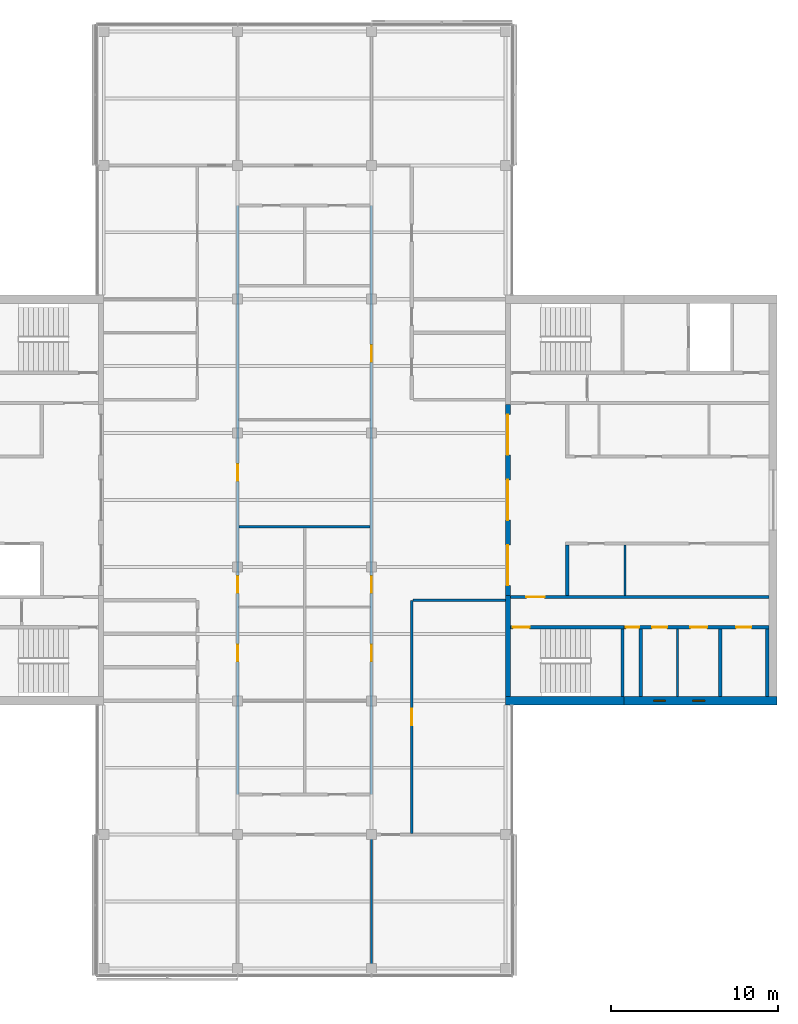
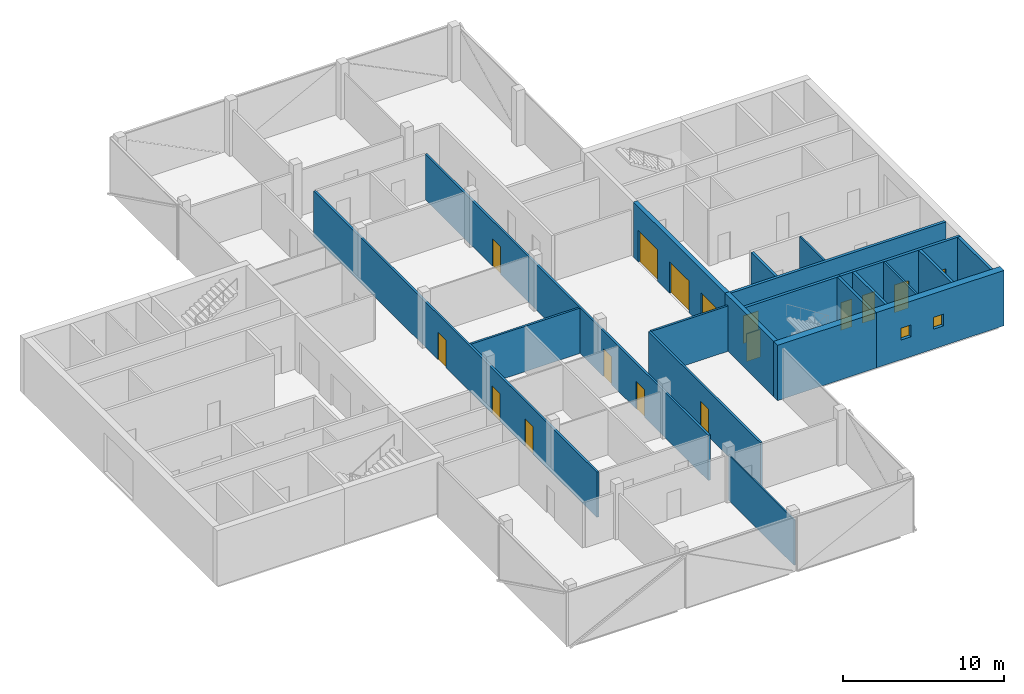
# One storey, part 10 of 16: 20 walls, 16 doors, 2 windows, 18 openings.
"""IFC4 building model written with IfcOpenShell, lengths in metres."""

from ifc_helpers import new_model, si_unit, direction, frame, frame_2d, origin, place, context, subcontext, project, spatial, rectangle, extrude, material, layer, layer_set, constituent, constituent_set, type_object, element, fill, save


model = new_model("IFC4")

# Units and contexts
model_context = context("Model", 3, precision=1e-05, world=origin(), true_north=direction((0.0, 1.0)))
body_context = subcontext(model_context, "Body", "Model", "MODEL_VIEW")
ifc_project = project(units=[si_unit("LENGTHUNIT", "METRE"), si_unit("AREAUNIT", "SQUARE_METRE"), si_unit("VOLUMEUNIT", "CUBIC_METRE"), si_unit("PLANEANGLEUNIT", "RADIAN"), si_unit("MASSUNIT", "GRAM", prefix="KILO")], contexts=[model_context])

# Site, building, storey
site_placement = place(None, origin())
site = spatial("IfcSite", under=ifc_project, at=site_placement, CompositionType="ELEMENT")
building_placement = place(site_placement, origin())
building = spatial("IfcBuilding", under=site, at=building_placement, Name="Crosswind Convention Tower", CompositionType="ELEMENT")
storey_placement = place(building_placement, frame((0.0, 0.0, 336.5)))
storey = spatial("IfcBuildingStorey", under=building, at=storey_placement, Name="L73", CompositionType="ELEMENT", Elevation=336.5)

# Wall
ifc_material_1 = material(Name="Concrete blockwork", Category="masonry")
ifc_layer_1 = layer(ifc_material_1, 0.199951171875)
ifc_layer_set_1 = layer_set([ifc_layer_1], Name="Blockwork partition wall 200")
wall_type_1 = type_object("IfcWallType", Name="Blockwork partition wall 200", PredefinedType="PARTITIONING", material=ifc_layer_set_1)
wall_1_placement = place(storey_placement, frame((145.10009765625, 88.25, 0.0), z_axis=(0.0, 0.0, 1.0), x_axis=(0.0, 1.0, 0.0)))
element("IfcWall", 1, at=wall_1_placement, inside=storey, type_object=wall_type_1, Name="Wall MRSE E L73", PredefinedType="PARTITIONING", context=body_context, shape_type="SweptSolid", body=[
    extrude(rectangle(XDim=4.050048828125, YDim=0.199951171875, at=frame_2d((2.02490234375, 0.0))), origin(), (0.0, 0.0, 1.0), 4.199951171875),
])

# Wall, openings, doors
ifc_material_2 = material(Name="Concrete C50/60", Category="concrete")
ifc_layer_2 = layer(ifc_material_2, 0.300048828125)
ifc_layer_set_2 = layer_set([ifc_layer_2], Name="Concrete C50/60")
wall_type_2 = type_object("IfcWallType", Name="Concrete inner core wall 300", PredefinedType="SHEAR", material=ifc_layer_set_2)
wall_2_placement = place(storey_placement, frame((137.14990234375, 94.300048828125, 0.0), z_axis=(0.0, 0.0, 1.0), x_axis=(0.0, 1.0, 0.0)))
wall_2 = element("IfcWall", 2, at=wall_2_placement, inside=storey, type_object=wall_type_2, Name="Wall SCR E L73", PredefinedType="SHEAR", context=body_context, shape_type="SweptSolid", body=[
    extrude(rectangle(XDim=11.39990234375, YDim=0.300048828125, at=frame_2d((5.699951171875, 0.0))), origin(), (0.0, 0.0, 1.0), 4.199951171875),
])
opening_1_placement = place(wall_2_placement, frame((0.60009765625, 0.0, 0.0)))
opening_1 = element("IfcOpeningElement", 3, at=opening_1_placement, cuts=wall_2, Name="Opening D100", PredefinedType="OPENING", context=body_context, shape_type="SweptSolid", body=[
    extrude(rectangle(XDim=2.39990234375, YDim=2.39990234375, at=frame_2d((1.199951171875, 1.199951171875))), frame((0.0, 0.159912109375, 0.0), z_axis=(0.0, -1.0, 0.0), x_axis=(1.0, 0.0, 0.0)), (0.0, 0.0, 1.0), 0.320068359375),
])
opening_2_placement = place(wall_2_placement, frame((4.5, 0.0, 0.0)))
opening_2 = element("IfcOpeningElement", 4, at=opening_2_placement, cuts=wall_2, Name="Opening D100", PredefinedType="OPENING", context=body_context, shape_type="SweptSolid", body=[
    extrude(rectangle(XDim=2.39990234375, YDim=2.39990234375, at=frame_2d((1.199951171875, 1.199951171875))), frame((0.0, 0.159912109375, 0.0), z_axis=(0.0, -1.0, 0.0), x_axis=(1.0, 0.0, 0.0)), (0.0, 0.0, 1.0), 0.320068359375),
])
opening_3_placement = place(wall_2_placement, frame((8.39990234375, 0.0, 0.0)))
opening_3 = element("IfcOpeningElement", 5, at=opening_3_placement, cuts=wall_2, Name="Opening D100", PredefinedType="OPENING", context=body_context, shape_type="SweptSolid", body=[
    extrude(rectangle(XDim=2.39990234375, YDim=2.39990234375, at=frame_2d((1.199951171875, 1.199951171875))), frame((0.0, 0.159912109375, 0.0), z_axis=(0.0, -1.0, 0.0), x_axis=(1.0, 0.0, 0.0)), (0.0, 0.0, 1.0), 0.320068359375),
])
ifc_material_3 = material(Name="Steel fire door with glazed vision panels", Category="steel")
door_type_1 = type_object("IfcDoorType", Name="Fire-rated double door 2400x2400", OperationType="DOUBLE_DOOR_SINGLE_SWING", PredefinedType="DOOR", material=ifc_material_3)
door_1_placement = place(opening_1_placement, origin())
door_1 = element("IfcDoor", 6, at=door_1_placement, inside=storey, type_object=door_type_1, Name="Lobby door 1 L73", ObjectType="D100", OperationType="DOUBLE_DOOR_SINGLE_SWING", OverallHeight=2.39990234375, OverallWidth=2.39990234375, PredefinedType="DOOR", context=body_context, shape_type="SweptSolid", body=[
    extrude(rectangle(XDim=2.39990234375, YDim=2.39990234375, at=frame_2d((1.199951171875, 1.199951171875))), frame((0.0, 0.02490234375, 0.0), z_axis=(0.0, -1.0, 0.0), x_axis=(1.0, 0.0, 0.0)), (0.0, 0.0, 1.0), 0.050048828125),
])
fill(opening_1, door_1)
door_2_placement = place(opening_2_placement, origin())
door_2 = element("IfcDoor", 7, at=door_2_placement, inside=storey, type_object=door_type_1, Name="Lobby door 2 L73", ObjectType="D100", OperationType="DOUBLE_DOOR_SINGLE_SWING", OverallHeight=2.39990234375, OverallWidth=2.39990234375, PredefinedType="DOOR", context=body_context, shape_type="SweptSolid", body=[
    extrude(rectangle(XDim=2.39990234375, YDim=2.39990234375, at=frame_2d((1.199951171875, 1.199951171875))), frame((0.0, 0.02490234375, 0.0), z_axis=(0.0, -1.0, 0.0), x_axis=(1.0, 0.0, 0.0)), (0.0, 0.0, 1.0), 0.050048828125),
])
fill(opening_2, door_2)
door_3_placement = place(opening_3_placement, origin())
door_3 = element("IfcDoor", 8, at=door_3_placement, inside=storey, type_object=door_type_1, Name="Lobby door 3 L73", ObjectType="D100", OperationType="DOUBLE_DOOR_SINGLE_SWING", OverallHeight=2.39990234375, OverallWidth=2.39990234375, PredefinedType="DOOR", context=body_context, shape_type="SweptSolid", body=[
    extrude(rectangle(XDim=2.39990234375, YDim=2.39990234375, at=frame_2d((1.199951171875, 1.199951171875))), frame((0.0, 0.02490234375, 0.0), z_axis=(0.0, -1.0, 0.0), x_axis=(1.0, 0.0, 0.0)), (0.0, 0.0, 1.0), 0.050048828125),
])
fill(opening_3, door_3)

# Walls
wall_3_placement = place(storey_placement, frame((137.14990234375, 88.25, 0.0), z_axis=(0.0, 0.0, 1.0), x_axis=(0.0, 1.0, 0.0)))
element("IfcWall", 9, at=wall_3_placement, inside=storey, type_object=wall_type_2, Name="Wall EM E L73", PredefinedType="SHEAR", context=body_context, shape_type="SweptSolid", body=[
    extrude(rectangle(XDim=6.050048828125, YDim=0.300048828125, at=frame_2d((3.02490234375, 0.0))), origin(), (0.0, 0.0, 1.0), 4.199951171875),
])
ifc_layer_3 = layer(ifc_material_2, 0.199951171875)
ifc_layer_set_3 = layer_set([ifc_layer_3], Name="Concrete C50/60")
wall_type_3 = type_object("IfcWallType", Name="Concrete shaft and stair wall 200", PredefinedType="SHEAR", material=ifc_layer_set_3)
wall_4_placement = place(storey_placement, frame((140.699951171875, 94.300048828125, 0.0), z_axis=(0.0, 0.0, 1.0), x_axis=(0.0, 1.0, 0.0)))
element("IfcWall", 10, at=wall_4_placement, inside=storey, type_object=wall_type_3, Name="Wall RMEND E L73", PredefinedType="SHEAR", context=body_context, shape_type="SweptSolid", body=[
    extrude(rectangle(XDim=3.0, YDim=0.199951171875, at=frame_2d((1.5, 0.0))), origin(), (0.0, 0.0, 1.0), 4.199951171875),
])

# Wall, opening, door
wall_5_placement = place(storey_placement, frame((137.300048828125, 94.199951171875, 0.0), z_axis=(0.0, 0.0, 1.0), x_axis=(1.0, 0.0, 0.0)))
wall_5 = element("IfcWall", 11, at=wall_5_placement, inside=storey, type_object=wall_type_3, Name="Wall HM E L73", PredefinedType="SHEAR", context=body_context, shape_type="SweptSolid", body=[
    extrude(rectangle(XDim=15.449951171875, YDim=0.199951171875, at=frame_2d((7.72509765625, 0.0))), origin(), (0.0, 0.0, 1.0), 4.199951171875),
])
opening_4_placement = place(wall_5_placement, frame((0.949951171875, 0.0, 0.0)))
opening_4 = element("IfcOpeningElement", 12, at=opening_4_placement, cuts=wall_5, Name="Opening D104", PredefinedType="OPENING", context=body_context, shape_type="SweptSolid", body=[
    extrude(rectangle(XDim=1.10009765625, YDim=2.10009765625, at=frame_2d((0.550048828125, 1.050048828125))), frame((0.0, 0.10986328125, 0.0), z_axis=(0.0, -1.0, 0.0), x_axis=(1.0, 0.0, 0.0)), (0.0, 0.0, 1.0), 0.219970703125),
])
ifc_material_4 = material(Name="Steel fire door", Category="steel")
door_type_2 = type_object("IfcDoorType", Name="Fire-rated single door 1100x2100", OperationType="NOTDEFINED", PredefinedType="DOOR", material=ifc_material_4)
door_4_placement = place(opening_4_placement, origin())
door_4 = element("IfcDoor", 13, at=door_4_placement, inside=storey, type_object=door_type_2, Name="Corridor door L73", ObjectType="D104", OperationType="SINGLE_SWING_LEFT", OverallHeight=2.10009765625, OverallWidth=1.10009765625, PredefinedType="DOOR", context=body_context, shape_type="SweptSolid", body=[
    extrude(rectangle(XDim=1.10009765625, YDim=2.10009765625, at=frame_2d((0.550048828125, 1.050048828125))), frame((0.0, 0.02490234375, 0.0), z_axis=(0.0, -1.0, 0.0), x_axis=(1.0, 0.0, 0.0)), (0.0, 0.0, 1.0), 0.050048828125),
])
fill(opening_4, door_4)

# Walls
for number, where, z_axis, x_axis, name in (
    (14, (144.0, 88.25, 0.0), (0.0, 0.0, 1.0), (0.0, 1.0, 0.0), "Wall MSE E L73"),
    (15, (149.85009765625, 88.25, 0.0), (0.0, 0.0, 1.0), (0.0, 1.0, 0.0), "Wall MFSW E L73"),
    (16, (152.64990234375, 88.25, 0.0), (0.0, 0.0, 1.0), (0.0, 1.0, 0.0), "Wall MFSE E L73"),
):
    element("IfcWall", number, at=place(storey_placement, frame(where, z_axis=z_axis, x_axis=x_axis)), inside=storey, type_object=wall_type_3, Name=name, PredefinedType="SHEAR", context=body_context, shape_type="SweptSolid", body=[
        extrude(rectangle(XDim=4.050048828125, YDim=0.199951171875, at=frame_2d((2.02490234375, 0.0))), origin(), (0.0, 0.0, 1.0), 4.199951171875),
    ])

# Wall, opening, door
wall_6_placement = place(storey_placement, frame((137.300048828125, 92.39990234375, 0.0), z_axis=(0.0, 0.0, 1.0), x_axis=(1.0, 0.0, 0.0)))
wall_6 = element("IfcWall", 17, at=wall_6_placement, inside=storey, type_object=wall_type_3, Name="Wall MCW E L73", PredefinedType="SHEAR", context=body_context, shape_type="SweptSolid", body=[
    extrude(rectangle(XDim=6.800048828125, YDim=0.199951171875, at=frame_2d((3.39990234375, 0.0))), origin(), (0.0, 0.0, 1.0), 4.199951171875),
])
opening_5_placement = place(wall_6_placement, frame((0.14990234375, 0.0, 0.0)))
opening_5 = element("IfcOpeningElement", 18, at=opening_5_placement, cuts=wall_6, Name="Opening D103", PredefinedType="OPENING", context=body_context, shape_type="SweptSolid", body=[
    extrude(rectangle(XDim=1.0, YDim=2.10009765625, at=frame_2d((0.5, 1.050048828125))), frame((0.0, 0.10986328125, 0.0), z_axis=(0.0, -1.0, 0.0), x_axis=(1.0, 0.0, 0.0)), (0.0, 0.0, 1.0), 0.219970703125),
])
door_type_3 = type_object("IfcDoorType", Name="Fire-rated single door 1000x2100", OperationType="NOTDEFINED", PredefinedType="DOOR", material=ifc_material_4)
door_5_placement = place(opening_5_placement, frame((1.0, 0.0, 0.0), z_axis=(0.0, 0.0, 1.0), x_axis=(-1.0, 0.0, 0.0)))
door_5 = element("IfcDoor", 19, at=door_5_placement, inside=storey, type_object=door_type_3, Name="Stair ST2 door L73", ObjectType="D103", OperationType="SINGLE_SWING_RIGHT", OverallHeight=2.10009765625, OverallWidth=1.0, PredefinedType="DOOR", context=body_context, shape_type="SweptSolid", body=[
    extrude(rectangle(XDim=1.0, YDim=2.10009765625, at=frame_2d((0.5, 1.050048828125))), frame((0.0, 0.02490234375, 0.0), z_axis=(0.0, -1.0, 0.0), x_axis=(1.0, 0.0, 0.0)), (0.0, 0.0, 1.0), 0.050048828125),
])
fill(opening_5, door_5)

# Wall, openings, doors
wall_7_placement = place(storey_placement, frame((144.10009765625, 92.39990234375, 0.0), z_axis=(0.0, 0.0, 1.0), x_axis=(1.0, 0.0, 0.0)))
wall_7 = element("IfcWall", 20, at=wall_7_placement, inside=storey, type_object=wall_type_3, Name="Wall MCX E L73", PredefinedType="SHEAR", context=body_context, shape_type="SweptSolid", body=[
    extrude(rectangle(XDim=8.64990234375, YDim=0.199951171875, at=frame_2d((4.324951171875, 0.0))), origin(), (0.0, 0.0, 1.0), 4.199951171875),
])
opening_6_placement = place(wall_7_placement, frame((0.10009765625, 0.0, 0.0)))
opening_6 = element("IfcOpeningElement", 21, at=opening_6_placement, cuts=wall_7, Name="Opening D105", PredefinedType="OPENING", context=body_context, shape_type="SweptSolid", body=[
    extrude(rectangle(XDim=0.800048828125, YDim=2.10009765625, at=frame_2d((0.39990234375, 1.050048828125))), frame((0.0, 0.10986328125, 0.0), z_axis=(0.0, -1.0, 0.0), x_axis=(1.0, 0.0, 0.0)), (0.0, 0.0, 1.0), 0.219970703125),
])
opening_7_placement = place(wall_7_placement, frame((1.665283203125, 0.0, 0.0)))
opening_7 = element("IfcOpeningElement", 22, at=opening_7_placement, cuts=wall_7, Name="Opening D106", PredefinedType="OPENING", context=body_context, shape_type="SweptSolid", body=[
    extrude(rectangle(XDim=0.89990234375, YDim=2.10009765625, at=frame_2d((0.449951171875, 1.050048828125))), frame((0.0, 0.10986328125, 0.0), z_axis=(0.0, -1.0, 0.0), x_axis=(1.0, 0.0, 0.0)), (0.0, 0.0, 1.0), 0.219970703125),
])
opening_8_placement = place(wall_7_placement, frame((3.95263671875, 0.0, 0.0)))
opening_8 = element("IfcOpeningElement", 23, at=opening_8_placement, cuts=wall_7, Name="Opening D103", PredefinedType="OPENING", context=body_context, shape_type="SweptSolid", body=[
    extrude(rectangle(XDim=1.0, YDim=2.10009765625, at=frame_2d((0.5, 1.050048828125))), frame((0.0, 0.10986328125, 0.0), z_axis=(0.0, -1.0, 0.0), x_axis=(1.0, 0.0, 0.0)), (0.0, 0.0, 1.0), 0.219970703125),
])
opening_9_placement = place(wall_7_placement, frame((6.699951171875, 0.0, 0.0)))
opening_9 = element("IfcOpeningElement", 24, at=opening_9_placement, cuts=wall_7, Name="Opening D106", PredefinedType="OPENING", context=body_context, shape_type="SweptSolid", body=[
    extrude(rectangle(XDim=0.89990234375, YDim=2.10009765625, at=frame_2d((0.449951171875, 1.050048828125))), frame((0.0, 0.10986328125, 0.0), z_axis=(0.0, -1.0, 0.0), x_axis=(1.0, 0.0, 0.0)), (0.0, 0.0, 1.0), 0.219970703125),
])
door_6_placement = place(opening_8_placement, frame((1.0, 0.0, 0.0), z_axis=(0.0, 0.0, 1.0), x_axis=(-1.0, 0.0, 0.0)))
door_6 = element("IfcDoor", 25, at=door_6_placement, inside=storey, type_object=door_type_3, Name="Door to accessible wc L73", ObjectType="D103", OperationType="SINGLE_SWING_LEFT", OverallHeight=2.10009765625, OverallWidth=1.0, PredefinedType="DOOR", context=body_context, shape_type="SweptSolid", body=[
    extrude(rectangle(XDim=1.0, YDim=2.10009765625, at=frame_2d((0.5, 1.050048828125))), frame((0.0, 0.02490234375, 0.0), z_axis=(0.0, -1.0, 0.0), x_axis=(1.0, 0.0, 0.0)), (0.0, 0.0, 1.0), 0.050048828125),
])
fill(opening_8, door_6)
door_type_4 = type_object("IfcDoorType", Name="Riser access door 800x2100", OperationType="NOTDEFINED", PredefinedType="DOOR", material=ifc_material_4)
door_7_placement = place(opening_6_placement, frame((0.800048828125, 0.0, 0.0), z_axis=(0.0, 0.0, 1.0), x_axis=(-1.0, 0.0, 0.0)))
door_7 = element("IfcDoor", 26, at=door_7_placement, inside=storey, type_object=door_type_4, Name="Riser door L73", ObjectType="D105", OperationType="SINGLE_SWING_LEFT", OverallHeight=2.10009765625, OverallWidth=0.800048828125, PredefinedType="DOOR", context=body_context, shape_type="SweptSolid", body=[
    extrude(rectangle(XDim=0.800048828125, YDim=2.10009765625, at=frame_2d((0.39990234375, 1.050048828125))), frame((0.0, 0.02490234375, 0.0), z_axis=(0.0, -1.0, 0.0), x_axis=(1.0, 0.0, 0.0)), (0.0, 0.0, 1.0), 0.050048828125),
])
fill(opening_6, door_7)
ifc_material_5 = material(Name="Timber door", Category="wood")
door_type_5 = type_object("IfcDoorType", Name="Single leaf door 900x2100", OperationType="NOTDEFINED", PredefinedType="DOOR", material=ifc_material_5)
door_8_placement = place(opening_7_placement, frame((0.89990234375, 0.0, 0.0), z_axis=(0.0, 0.0, 1.0), x_axis=(-1.0, 0.0, 0.0)))
door_8 = element("IfcDoor", 27, at=door_8_placement, inside=storey, type_object=door_type_5, Name="Door to wc L73", ObjectType="D106", OperationType="SINGLE_SWING_LEFT", OverallHeight=2.10009765625, OverallWidth=0.89990234375, PredefinedType="DOOR", context=body_context, shape_type="SweptSolid", body=[
    extrude(rectangle(XDim=0.89990234375, YDim=2.10009765625, at=frame_2d((0.449951171875, 1.050048828125))), frame((0.0, 0.02490234375, 0.0), z_axis=(0.0, -1.0, 0.0), x_axis=(1.0, 0.0, 0.0)), (0.0, 0.0, 1.0), 0.050048828125),
])
fill(opening_7, door_8)
door_9_placement = place(opening_9_placement, frame((0.89990234375, 0.0, 0.0), z_axis=(0.0, 0.0, 1.0), x_axis=(-1.0, 0.0, 0.0)))
door_9 = element("IfcDoor", 28, at=door_9_placement, inside=storey, type_object=door_type_5, Name="Door to accessible wc L73", ObjectType="D106", OperationType="SINGLE_SWING_LEFT", OverallHeight=2.10009765625, OverallWidth=0.89990234375, PredefinedType="DOOR", context=body_context, shape_type="SweptSolid", body=[
    extrude(rectangle(XDim=0.89990234375, YDim=2.10009765625, at=frame_2d((0.449951171875, 1.050048828125))), frame((0.0, 0.02490234375, 0.0), z_axis=(0.0, -1.0, 0.0), x_axis=(1.0, 0.0, 0.0)), (0.0, 0.0, 1.0), 0.050048828125),
])
fill(opening_9, door_9)

# Walls
ifc_material_6 = material(Name="Gypsum plasterboard partition", Category="gypsum")
ifc_layer_4 = layer(ifc_material_6, 0.125)
ifc_layer_set_4 = layer_set([ifc_layer_4], Name="Drywall partition wall 125")
wall_type_4 = type_object("IfcWallType", Name="Drywall partition wall 125", PredefinedType="PARTITIONING", material=ifc_layer_set_4)
wall_8_placement = place(storey_placement, frame((144.14599609375, 94.300048828125, 0.0), z_axis=(0.0, 0.0, 1.0), x_axis=(0.0, 1.0, 0.0)))
element("IfcWall", 29, at=wall_8_placement, inside=storey, type_object=wall_type_4, Name="Wall RMP1 E L73", PredefinedType="PARTITIONING", context=body_context, shape_type="SweptSolid", body=[
    extrude(rectangle(XDim=3.0, YDim=0.125, at=frame_2d((1.5, 0.0))), origin(), (0.0, 0.0, 1.0), 4.199951171875),
])
wall_9_placement = place(storey_placement, frame((147.29296875, 88.25, 0.0), z_axis=(0.0, 0.0, 1.0), x_axis=(0.0, 1.0, 0.0)))
element("IfcWall", 30, at=wall_9_placement, inside=storey, type_object=wall_type_4, Name="Wall MWP1 E L73", PredefinedType="PARTITIONING", context=body_context, shape_type="SweptSolid", body=[
    extrude(rectangle(XDim=4.050048828125, YDim=0.125, at=frame_2d((2.02490234375, 0.0))), origin(), (0.0, 0.0, 1.0), 4.199951171875),
])
ifc_material_7 = material(Name="Plasterboard partition", Category="gypsum")
ifc_layer_5 = layer(ifc_material_7, 0.10009765625)
ifc_layer_set_5 = layer_set([ifc_layer_5], Name="PARTITION 100 METAL STUD")
wall_type_5 = type_object("IfcWallType", Name="PARTITION 100 METAL STUD", PredefinedType="PARTITIONING", material=ifc_layer_set_5)
wall_10_placement = place(storey_placement, frame((129.0, 71.780029296875, 0.0), z_axis=(0.0, 0.0, 1.0), x_axis=(0.0, 1.0, 0.0)))
element("IfcWall", 31, at=wall_10_placement, inside=storey, type_object=wall_type_5, Name="Partition wall WT40", PredefinedType="PARTITIONING", context=body_context, shape_type="SweptSolid", body=[
    extrude(rectangle(XDim=8.14501953125, YDim=0.10009765625, at=frame_2d((4.072509765625, 0.0))), origin(), (0.0, 0.0, 1.0), 3.44287109375),
])

# Wall, openings, doors
ifc_material_8 = material(Name="Fire-board partition with mineral wool", Category="gypsum")
ifc_layer_6 = layer(ifc_material_8, 0.14990234375)
ifc_layer_set_6 = layer_set([ifc_layer_6], Name="TENANCY WALL 150 TWO-HOUR BOARD")
wall_type_6 = type_object("IfcWallType", Name="TENANCY WALL 150 TWO-HOUR BOARD", PredefinedType="PARTITIONING", material=ifc_layer_set_6)
wall_11_placement = place(storey_placement, frame((121.0, 82.39990234375, 0.0), z_axis=(0.0, 0.0, 1.0), x_axis=(0.0, 1.0, 0.0)))
wall_11 = element("IfcWall", 32, at=wall_11_placement, inside=storey, type_object=wall_type_6, Name="Tenancy wall WT41", PredefinedType="PARTITIONING", context=body_context, shape_type="SweptSolid", body=[
    extrude(rectangle(XDim=35.2001953125, YDim=0.14990234375, at=frame_2d((17.60009765625, 0.0))), origin(), (0.0, 0.0, 1.0), 3.44287109375),
])
opening_10_placement = place(wall_11_placement, frame((7.949951171875, 0.0, 0.0)))
opening_10 = element("IfcOpeningElement", 33, at=opening_10_placement, cuts=wall_11, Name="Opening L73-67", PredefinedType="OPENING", context=body_context, shape_type="SweptSolid", body=[
    extrude(rectangle(XDim=1.0, YDim=2.10009765625, at=frame_2d((0.5, 1.050048828125))), frame((0.0, 0.0849609375, 0.0), z_axis=(0.0, -1.0, 0.0), x_axis=(1.0, 0.0, 0.0)), (0.0, 0.0, 1.0), 0.169921875),
])
opening_11_placement = place(wall_11_placement, frame((12.050048828125, 0.0, 0.0)))
opening_11 = element("IfcOpeningElement", 34, at=opening_11_placement, cuts=wall_11, Name="Opening L73-69", PredefinedType="OPENING", context=body_context, shape_type="SweptSolid", body=[
    extrude(rectangle(XDim=1.0, YDim=2.10009765625, at=frame_2d((0.5, 1.050048828125))), frame((0.0, 0.0849609375, 0.0), z_axis=(0.0, -1.0, 0.0), x_axis=(1.0, 0.0, 0.0)), (0.0, 0.0, 1.0), 0.169921875),
])
opening_12_placement = place(wall_11_placement, frame((18.75, 0.0, 0.0)))
opening_12 = element("IfcOpeningElement", 35, at=opening_12_placement, cuts=wall_11, Name="Opening L73-71", PredefinedType="OPENING", context=body_context, shape_type="SweptSolid", body=[
    extrude(rectangle(XDim=1.0, YDim=2.10009765625, at=frame_2d((0.5, 1.050048828125))), frame((0.0, 0.0849609375, 0.0), z_axis=(0.0, -1.0, 0.0), x_axis=(1.0, 0.0, 0.0)), (0.0, 0.0, 1.0), 0.169921875),
])
ifc_material_9 = material(Name="Timber fire door", Category="wood")
door_type_6 = type_object("IfcDoorType", Name="TENANCY ENTRANCE DOOR 1000X2100 FD30S", OperationType="NOTDEFINED", PredefinedType="DOOR", material=ifc_material_9)
door_10_placement = place(opening_10_placement, frame((1.0, 0.0, 0.0), z_axis=(0.0, 0.0, 1.0), x_axis=(-1.0, 0.0, 0.0)))
door_10 = element("IfcDoor", 36, at=door_10_placement, inside=storey, type_object=door_type_6, Name="Door L73-67", ObjectType="D41", OperationType="SINGLE_SWING_RIGHT", OverallHeight=2.10009765625, OverallWidth=1.0, PredefinedType="DOOR", context=body_context, shape_type="SweptSolid", body=[
    extrude(rectangle(XDim=1.0, YDim=2.10009765625, at=frame_2d((0.5, 1.050048828125))), frame((0.0, 0.02490234375, 0.0), z_axis=(0.0, -1.0, 0.0), x_axis=(1.0, 0.0, 0.0)), (0.0, 0.0, 1.0), 0.050048828125),
])
fill(opening_10, door_10)
door_11_placement = place(opening_11_placement, frame((1.0, 0.0, 0.0), z_axis=(0.0, 0.0, 1.0), x_axis=(-1.0, 0.0, 0.0)))
door_11 = element("IfcDoor", 37, at=door_11_placement, inside=storey, type_object=door_type_6, Name="Door L73-69", ObjectType="D41", OperationType="SINGLE_SWING_LEFT", OverallHeight=2.10009765625, OverallWidth=1.0, PredefinedType="DOOR", context=body_context, shape_type="SweptSolid", body=[
    extrude(rectangle(XDim=1.0, YDim=2.10009765625, at=frame_2d((0.5, 1.050048828125))), frame((0.0, 0.02490234375, 0.0), z_axis=(0.0, -1.0, 0.0), x_axis=(1.0, 0.0, 0.0)), (0.0, 0.0, 1.0), 0.050048828125),
])
fill(opening_11, door_11)
door_12_placement = place(opening_12_placement, frame((1.0, 0.0, 0.0), z_axis=(0.0, 0.0, 1.0), x_axis=(-1.0, 0.0, 0.0)))
door_12 = element("IfcDoor", 38, at=door_12_placement, inside=storey, type_object=door_type_6, Name="Door L73-71", ObjectType="D41", OperationType="SINGLE_SWING_LEFT", OverallHeight=2.10009765625, OverallWidth=1.0, PredefinedType="DOOR", context=body_context, shape_type="SweptSolid", body=[
    extrude(rectangle(XDim=1.0, YDim=2.10009765625, at=frame_2d((0.5, 1.050048828125))), frame((0.0, 0.02490234375, 0.0), z_axis=(0.0, -1.0, 0.0), x_axis=(1.0, 0.0, 0.0)), (0.0, 0.0, 1.0), 0.050048828125),
])
fill(opening_12, door_12)

wall_12_placement = place(storey_placement, frame((129.0, 82.39990234375, 0.0), z_axis=(0.0, 0.0, 1.0), x_axis=(0.0, 1.0, 0.0)))
wall_12 = element("IfcWall", 39, at=wall_12_placement, inside=storey, type_object=wall_type_6, Name="Tenancy wall WT41", PredefinedType="PARTITIONING", context=body_context, shape_type="SweptSolid", body=[
    extrude(rectangle(XDim=35.2001953125, YDim=0.14990234375, at=frame_2d((17.60009765625, 0.0))), origin(), (0.0, 0.0, 1.0), 3.44287109375),
])
opening_13_placement = place(wall_12_placement, frame((7.949951171875, 0.0, 0.0)))
opening_13 = element("IfcOpeningElement", 40, at=opening_13_placement, cuts=wall_12, Name="Opening L73-68", PredefinedType="OPENING", context=body_context, shape_type="SweptSolid", body=[
    extrude(rectangle(XDim=1.0, YDim=2.10009765625, at=frame_2d((0.5, 1.050048828125))), frame((0.0, 0.0849609375, 0.0), z_axis=(0.0, -1.0, 0.0), x_axis=(1.0, 0.0, 0.0)), (0.0, 0.0, 1.0), 0.169921875),
])
opening_14_placement = place(wall_12_placement, frame((12.050048828125, 0.0, 0.0)))
opening_14 = element("IfcOpeningElement", 41, at=opening_14_placement, cuts=wall_12, Name="Opening L73-70", PredefinedType="OPENING", context=body_context, shape_type="SweptSolid", body=[
    extrude(rectangle(XDim=1.0, YDim=2.10009765625, at=frame_2d((0.5, 1.050048828125))), frame((0.0, 0.0849609375, 0.0), z_axis=(0.0, -1.0, 0.0), x_axis=(1.0, 0.0, 0.0)), (0.0, 0.0, 1.0), 0.169921875),
])
opening_15_placement = place(wall_12_placement, frame((25.85009765625, 0.0, 0.0)))
opening_15 = element("IfcOpeningElement", 42, at=opening_15_placement, cuts=wall_12, Name="Opening L73-72", PredefinedType="OPENING", context=body_context, shape_type="SweptSolid", body=[
    extrude(rectangle(XDim=1.0, YDim=2.10009765625, at=frame_2d((0.5, 1.050048828125))), frame((0.0, 0.0849609375, 0.0), z_axis=(0.0, -1.0, 0.0), x_axis=(1.0, 0.0, 0.0)), (0.0, 0.0, 1.0), 0.169921875),
])
door_13_placement = place(opening_13_placement, origin())
door_13 = element("IfcDoor", 43, at=door_13_placement, inside=storey, type_object=door_type_6, Name="Door L73-68", ObjectType="D41", OperationType="SINGLE_SWING_LEFT", OverallHeight=2.10009765625, OverallWidth=1.0, PredefinedType="DOOR", context=body_context, shape_type="SweptSolid", body=[
    extrude(rectangle(XDim=1.0, YDim=2.10009765625, at=frame_2d((0.5, 1.050048828125))), frame((0.0, 0.02490234375, 0.0), z_axis=(0.0, -1.0, 0.0), x_axis=(1.0, 0.0, 0.0)), (0.0, 0.0, 1.0), 0.050048828125),
])
fill(opening_13, door_13)
door_14_placement = place(opening_14_placement, origin())
door_14 = element("IfcDoor", 44, at=door_14_placement, inside=storey, type_object=door_type_6, Name="Door L73-70", ObjectType="D41", OperationType="SINGLE_SWING_RIGHT", OverallHeight=2.10009765625, OverallWidth=1.0, PredefinedType="DOOR", context=body_context, shape_type="SweptSolid", body=[
    extrude(rectangle(XDim=1.0, YDim=2.10009765625, at=frame_2d((0.5, 1.050048828125))), frame((0.0, 0.02490234375, 0.0), z_axis=(0.0, -1.0, 0.0), x_axis=(1.0, 0.0, 0.0)), (0.0, 0.0, 1.0), 0.050048828125),
])
fill(opening_14, door_14)
door_15_placement = place(opening_15_placement, origin())
door_15 = element("IfcDoor", 45, at=door_15_placement, inside=storey, type_object=door_type_6, Name="Door L73-72", ObjectType="D41", OperationType="SINGLE_SWING_RIGHT", OverallHeight=2.10009765625, OverallWidth=1.0, PredefinedType="DOOR", context=body_context, shape_type="SweptSolid", body=[
    extrude(rectangle(XDim=1.0, YDim=2.10009765625, at=frame_2d((0.5, 1.050048828125))), frame((0.0, 0.02490234375, 0.0), z_axis=(0.0, -1.0, 0.0), x_axis=(1.0, 0.0, 0.0)), (0.0, 0.0, 1.0), 0.050048828125),
])
fill(opening_15, door_15)

# Wall, opening, door
wall_13_placement = place(storey_placement, frame((131.39990234375, 80.074951171875, 0.0), z_axis=(0.0, 0.0, 1.0), x_axis=(0.0, 1.0, 0.0)))
wall_13 = element("IfcWall", 46, at=wall_13_placement, inside=storey, type_object=wall_type_6, Name="Tenancy wall WT41", PredefinedType="PARTITIONING", context=body_context, shape_type="SweptSolid", body=[
    extrude(rectangle(XDim=13.925048828125, YDim=0.14990234375, at=frame_2d((6.96240234375, 0.0))), origin(), (0.0, 0.0, 1.0), 3.44287109375),
])
opening_16_placement = place(wall_13_placement, frame((6.449951171875, 0.0, 0.0)))
opening_16 = element("IfcOpeningElement", 47, at=opening_16_placement, cuts=wall_13, Name="Opening L73-53", PredefinedType="OPENING", context=body_context, shape_type="SweptSolid", body=[
    extrude(rectangle(XDim=1.0, YDim=2.10009765625, at=frame_2d((0.5, 1.050048828125))), frame((0.0, 0.0849609375, 0.0), z_axis=(0.0, -1.0, 0.0), x_axis=(1.0, 0.0, 0.0)), (0.0, 0.0, 1.0), 0.169921875),
])
door_16_placement = place(opening_16_placement, frame((1.0, 0.0, 0.0), z_axis=(0.0, 0.0, 1.0), x_axis=(-1.0, 0.0, 0.0)))
door_16 = element("IfcDoor", 48, at=door_16_placement, inside=storey, type_object=door_type_6, Name="Door L73-53", ObjectType="D41", OperationType="SINGLE_SWING_LEFT", OverallHeight=2.10009765625, OverallWidth=1.0, PredefinedType="DOOR", context=body_context, shape_type="SweptSolid", body=[
    extrude(rectangle(XDim=1.0, YDim=2.10009765625, at=frame_2d((0.5, 1.050048828125))), frame((0.0, 0.02490234375, 0.0), z_axis=(0.0, -1.0, 0.0), x_axis=(1.0, 0.0, 0.0)), (0.0, 0.0, 1.0), 0.050048828125),
])
fill(opening_16, door_16)

# Walls
wall_14_placement = place(storey_placement, frame((131.47509765625, 94.0, 0.0), z_axis=(0.0, 0.0, 1.0), x_axis=(1.0, 0.0, 0.0)))
element("IfcWall", 49, at=wall_14_placement, inside=storey, type_object=wall_type_6, Name="Tenancy wall WT41", PredefinedType="PARTITIONING", context=body_context, shape_type="SweptSolid", body=[
    extrude(rectangle(XDim=5.52490234375, YDim=0.14990234375, at=frame_2d((2.762451171875, 0.0))), origin(), (0.0, 0.0, 1.0), 3.44287109375),
])
wall_15_placement = place(storey_placement, frame((121.074951171875, 98.39990234375, 0.0), z_axis=(0.0, 0.0, 1.0), x_axis=(1.0, 0.0, 0.0)))
element("IfcWall", 50, at=wall_15_placement, inside=storey, type_object=wall_type_6, Name="Tenancy wall WT41", PredefinedType="PARTITIONING", context=body_context, shape_type="SweptSolid", body=[
    extrude(rectangle(XDim=7.85009765625, YDim=0.14990234375, at=frame_2d((3.925048828125, 0.0))), origin(), (0.0, 0.0, 1.0), 3.44287109375),
])
ifc_material_10 = material(Name="Concrete C60/75", Category="concrete")
ifc_constituent_1 = constituent(ifc_material_10, Name="Structure")
ifc_material_11 = material(Name="Terracotta rainscreen", Category="ceramic")
ifc_constituent_2 = constituent(ifc_material_11, Name="Facing")
ifc_constituent_set = constituent_set(constituents=[ifc_constituent_1, ifc_constituent_2], Name="Concrete C60/75, Terracotta rainscreen")
wall_type_7 = type_object("IfcWallType", Name="Terracotta rainscreen on concrete core wall 500", PredefinedType="SHEAR", material=ifc_constituent_set)
wall_16_placement = place(storey_placement, frame((137.0, 88.0, 0.0), z_axis=(0.0, 0.0, 1.0), x_axis=(1.0, 0.0, 0.0)))
element("IfcWall", 51, at=wall_16_placement, inside=storey, type_object=wall_type_7, Name="Wall S1 E L73", PredefinedType="SHEAR", context=body_context, shape_type="SweptSolid", body=[
    extrude(rectangle(XDim=7.10009765625, YDim=0.5, at=frame_2d((3.550048828125, 0.0))), origin(), (0.0, 0.0, 1.0), 4.199951171875),
])

# Wall, openings, windows
wall_17_placement = place(storey_placement, frame((144.10009765625, 88.0, 0.0), z_axis=(0.0, 0.0, 1.0), x_axis=(1.0, 0.0, 0.0)))
wall_17 = element("IfcWall", 52, at=wall_17_placement, inside=storey, type_object=wall_type_7, Name="Wall S2 E L73", PredefinedType="SHEAR", context=body_context, shape_type="SweptSolid", body=[
    extrude(rectangle(XDim=9.14990234375, YDim=0.5, at=frame_2d((4.574951171875, 0.0))), origin(), (0.0, 0.0, 1.0), 4.199951171875),
])
opening_17_placement = place(wall_17_placement, frame((1.76513671875, 0.0, 1.5)))
opening_17 = element("IfcOpeningElement", 53, at=opening_17_placement, cuts=wall_17, Name="Opening W2", PredefinedType="OPENING", context=body_context, shape_type="SweptSolid", body=[
    extrude(rectangle(XDim=0.699951171875, YDim=0.89990234375, at=frame_2d((0.35009765625, 0.449951171875))), frame((0.0, 0.260009765625, 0.0), z_axis=(0.0, -1.0, 0.0), x_axis=(1.0, 0.0, 0.0)), (0.0, 0.0, 1.0), 0.52001953125),
])
opening_18_placement = place(wall_17_placement, frame((4.102783203125, 0.0, 1.5)))
opening_18 = element("IfcOpeningElement", 54, at=opening_18_placement, cuts=wall_17, Name="Opening W2", PredefinedType="OPENING", context=body_context, shape_type="SweptSolid", body=[
    extrude(rectangle(XDim=0.699951171875, YDim=0.89990234375, at=frame_2d((0.35009765625, 0.449951171875))), frame((0.0, 0.260009765625, 0.0), z_axis=(0.0, -1.0, 0.0), x_axis=(1.0, 0.0, 0.0)), (0.0, 0.0, 1.0), 0.52001953125),
])
ifc_material_12 = material(Name="Obscure glass in aluminium frame", Category="aluminium")
window_type = type_object("IfcWindowType", Name="WC window 700x900", PartitioningType="SINGLE_PANEL", PredefinedType="WINDOW", material=ifc_material_12)
window_1_placement = place(opening_17_placement, origin())
window_1 = element("IfcWindow", 55, at=window_1_placement, inside=storey, type_object=window_type, Name="WC window L73", ObjectType="W2", OverallHeight=0.89990234375, OverallWidth=0.699951171875, PartitioningType="SINGLE_PANEL", PredefinedType="WINDOW", context=body_context, shape_type="SweptSolid", body=[
    extrude(rectangle(XDim=0.699951171875, YDim=0.89990234375, at=frame_2d((0.35009765625, 0.449951171875))), frame((0.0, 0.030029296875, 0.0), z_axis=(0.0, -1.0, 0.0), x_axis=(1.0, 0.0, 0.0)), (0.0, 0.0, 1.0), 0.06005859375),
])
fill(opening_17, window_1)
window_2_placement = place(opening_18_placement, origin())
window_2 = element("IfcWindow", 56, at=window_2_placement, inside=storey, type_object=window_type, Name="WC window L73", ObjectType="W2", OverallHeight=0.89990234375, OverallWidth=0.699951171875, PartitioningType="SINGLE_PANEL", PredefinedType="WINDOW", context=body_context, shape_type="SweptSolid", body=[
    extrude(rectangle(XDim=0.699951171875, YDim=0.89990234375, at=frame_2d((0.35009765625, 0.449951171875))), frame((0.0, 0.030029296875, 0.0), z_axis=(0.0, -1.0, 0.0), x_axis=(1.0, 0.0, 0.0)), (0.0, 0.0, 1.0), 0.06005859375),
])
fill(opening_18, window_2)

save(model, "model.ifc")
